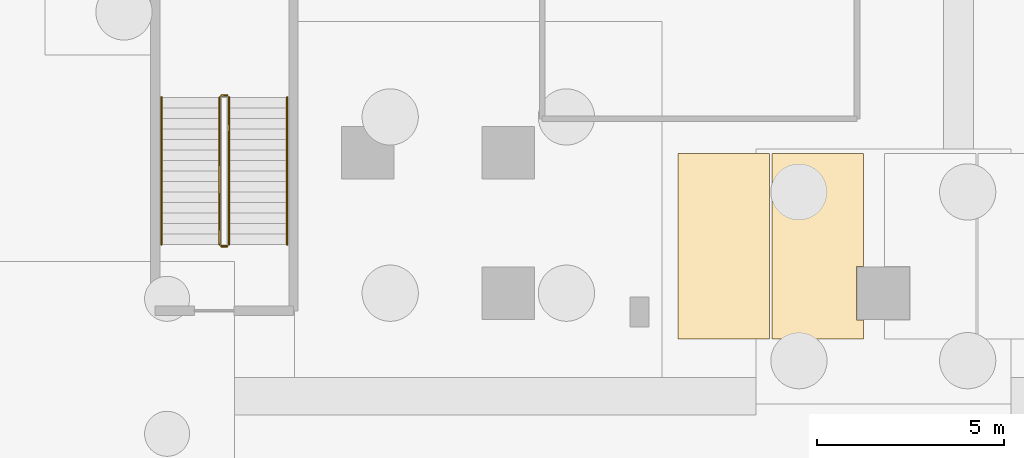
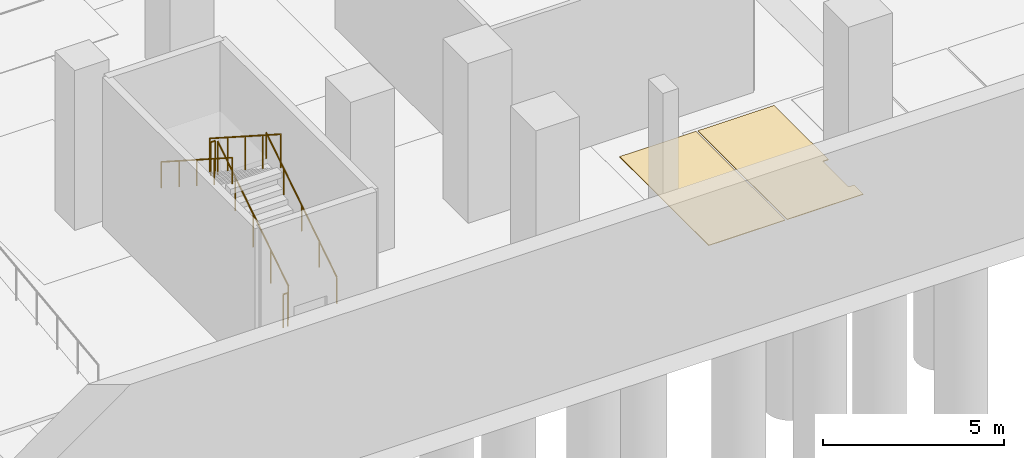
# One storey, part 9 of 16: 6 railings, 2 coverings.
"""IFC4 building model written with IfcOpenShell, lengths in metres."""

from ifc_helpers import new_model, si_unit, direction, frame, origin, origin_2d, place, context, subcontext, project, spatial, polyline, circle, outline, extrude, material, layer, layer_set, type_object, element, save


model = new_model("IFC4")

# Units and contexts
model_context = context("Model", 3, precision=1e-05, world=origin(), true_north=direction((0.0, 1.0)))
body_context = subcontext(model_context, "Body", "Model", "MODEL_VIEW")
ifc_project = project(units=[si_unit("LENGTHUNIT", "METRE"), si_unit("AREAUNIT", "SQUARE_METRE"), si_unit("VOLUMEUNIT", "CUBIC_METRE"), si_unit("PLANEANGLEUNIT", "RADIAN"), si_unit("MASSUNIT", "GRAM", prefix="KILO")], contexts=[model_context])

# Site, building, storey
site_placement = place(None, origin())
site = spatial("IfcSite", under=ifc_project, at=site_placement, CompositionType="ELEMENT")
building_placement = place(site_placement, origin())
building = spatial("IfcBuilding", under=site, at=building_placement, Name="Trevonay Congress Spire", CompositionType="ELEMENT")
storey_placement = place(building_placement, frame((0.0, 0.0, -10.800048828125)))
storey = spatial("IfcBuildingStorey", under=building, at=storey_placement, Name="B2", CompositionType="ELEMENT", Elevation=-10.800048828125)

# Coverings
ifc_material_1 = material(Name="Polished Granite Floor Tile", Category="masonry")
ifc_layer = layer(ifc_material_1, 0.02001953125, Name="Polished Granite Floor Tile")
ifc_layer_set = layer_set([ifc_layer], Name="Polished Granite Floor Tile")
covering_type = type_object("IfcCoveringType", Name="COV-FLOOR-STONE", PredefinedType="FLOORING", material=ifc_layer_set)
covering_1_placement = place(storey_placement, origin())
element("IfcCovering", 1, at=covering_1_placement, inside=storey, type_object=covering_type, Name="B2 Standard Parking Bay PK-01 floor finish", PredefinedType="FLOORING", context=body_context, shape_type="SweptSolid", body=[
    extrude(outline(polyline([(-14.969970703125, -24.469970703125), (-12.530029296875, -24.469970703125), (-12.530029296875, -19.530029296875), (-14.969970703125, -19.530029296875), (-14.969970703125, -24.469970703125)])), origin(), (0.0, 0.0, 1.0), 0.02001953125),
])
covering_2_placement = place(storey_placement, origin())
element("IfcCovering", 2, at=covering_2_placement, inside=storey, type_object=covering_type, Name="B2 Standard Parking Bay PK-02 floor finish", PredefinedType="FLOORING", context=body_context, shape_type="SweptSolid", body=[
    extrude(outline(polyline([(-10.030029296875, -24.469970703125), (-12.469970703125, -24.469970703125), (-12.469970703125, -19.530029296875), (-10.030029296875, -19.530029296875), (-10.030029296875, -22.5400390625), (-10.2099609375, -22.5400390625), (-10.2099609375, -23.9599609375), (-10.030029296875, -23.9599609375), (-10.030029296875, -24.469970703125)])), origin(), (0.0, 0.0, 1.0), 0.02001953125),
])

# Railings
ifc_material_2 = material(Name="Pale Anodised Aluminium EN AW-6063-T6", Category="aluminium")
railing_type_1 = type_object("IfcRailingType", Name="RAL-STAIR-GUARD-110", PredefinedType="GUARDRAIL", material=ifc_material_2)
railing_1_placement = place(storey_placement, frame((-26.949951171875, -21.949951171875, 0.179931640625)))
element("IfcRailing", 3, at=railing_1_placement, inside=storey, type_object=railing_type_1, Name="B2 ST-3 stair guard 1", PredefinedType="GUARDRAIL", context=body_context, shape_type="SweptSolid", body=[
    extrude(circle(Radius=0.02392578125, at=origin_2d()), frame((0.0, 0.0, 1.1259765625), z_axis=(0.0, 0.841171666519, 0.540768182723), x_axis=(-1.0, 0.0, 0.0)), (0.0, 0.0, 1.0), 4.66015625),
    extrude(circle(Radius=0.02099609375, at=origin_2d()), origin(), (0.0, 0.0, 1.0), 1.101806640625),
    extrude(circle(Radius=0.02099609375, at=origin_2d()), frame((0.0, 0.97998046875, 0.6298828125)), (0.0, 0.0, 1.0), 1.101806640625),
    extrude(circle(Radius=0.02099609375, at=origin_2d()), frame((0.0, 1.9599609375, 1.260009765625)), (0.0, 0.0, 1.0), 1.101806640625),
    extrude(circle(Radius=0.02099609375, at=origin_2d()), frame((0.0, 2.93994140625, 1.89013671875)), (0.0, 0.0, 1.0), 1.101806640625),
    extrude(circle(Radius=0.02099609375, at=origin_2d()), frame((0.0, 3.919921875, 2.52001953125)), (0.0, 0.0, 1.0), 1.101806640625),
])
railing_2_placement = place(storey_placement, frame((-27.0, -17.97998046875, 2.699951171875)))
element("IfcRailing", 4, at=railing_2_placement, inside=storey, type_object=railing_type_1, Name="B2 ST-3 stair guard 2", PredefinedType="GUARDRAIL", context=body_context, shape_type="SweptSolid", body=[
    extrude(circle(Radius=0.02392578125, at=origin_2d()), frame((0.0, 0.0, 1.1259765625), z_axis=(-1.0, 0.0, 0.0), x_axis=(0.0, -1.0, 0.0)), (0.0, 0.0, 1.0), 0.14990234375),
    extrude(circle(Radius=0.02099609375, at=origin_2d()), origin(), (0.0, 0.0, 1.0), 1.101806640625),
    extrude(circle(Radius=0.02099609375, at=origin_2d()), frame((-0.14990234375, 0.0, 0.0)), (0.0, 0.0, 1.0), 1.101806640625),
])
railing_3_placement = place(storey_placement, frame((-27.199951171875, -18.030029296875, 2.880126953125)))
element("IfcRailing", 5, at=railing_3_placement, inside=storey, type_object=railing_type_1, Name="B2 ST-3 stair guard 3", PredefinedType="GUARDRAIL", context=body_context, shape_type="SweptSolid", body=[
    extrude(circle(Radius=0.02392578125, at=origin_2d()), frame((0.0, 0.0, 1.1259765625), z_axis=(0.0, -0.841171666519, 0.540768182723), x_axis=(1.0, 0.0, 0.0)), (0.0, 0.0, 1.0), 4.66015625),
    extrude(circle(Radius=0.02099609375, at=origin_2d()), origin(), (0.0, 0.0, 1.0), 1.101806640625),
    extrude(circle(Radius=0.02099609375, at=origin_2d()), frame((0.0, -0.97998046875, 0.6298828125)), (0.0, 0.0, 1.0), 1.101806640625),
    extrude(circle(Radius=0.02099609375, at=origin_2d()), frame((0.0, -1.9599609375, 1.260009765625)), (0.0, 0.0, 1.0), 1.101806640625),
    extrude(circle(Radius=0.02099609375, at=origin_2d()), frame((0.0, -2.93994140625, 1.89013671875)), (0.0, 0.0, 1.0), 1.101806640625),
    extrude(circle(Radius=0.02099609375, at=origin_2d()), frame((0.0, -3.919921875, 2.52001953125)), (0.0, 0.0, 1.0), 1.101806640625),
])
railing_4_placement = place(storey_placement, frame((-27.0, -22.0, 0.0)))
element("IfcRailing", 6, at=railing_4_placement, inside=storey, type_object=railing_type_1, Name="B2 ST-3 stair guard 4", PredefinedType="GUARDRAIL", context=body_context, shape_type="SweptSolid", body=[
    extrude(circle(Radius=0.02392578125, at=origin_2d()), frame((0.0, 0.0, 1.1259765625), z_axis=(-1.0, 0.0, 0.0), x_axis=(0.0, -1.0, 0.0)), (0.0, 0.0, 1.0), 0.14990234375),
    extrude(circle(Radius=0.02099609375, at=origin_2d()), origin(), (0.0, 0.0, 1.0), 1.101806640625),
    extrude(circle(Radius=0.02099609375, at=origin_2d()), frame((-0.14990234375, 0.0, 0.0)), (0.0, 0.0, 1.0), 1.101806640625),
])
railing_type_2 = type_object("IfcRailingType", Name="RAL-STAIR-HANDRAIL", PredefinedType="HANDRAIL", material=ifc_material_2)
railing_5_placement = place(storey_placement, frame((-25.39990234375, -21.949951171875, 0.179931640625)))
element("IfcRailing", 7, at=railing_5_placement, inside=storey, type_object=railing_type_2, Name="B2 ST-3 stair handrail 1", PredefinedType="HANDRAIL", context=body_context, shape_type="SweptSolid", body=[
    extrude(circle(Radius=0.02392578125, at=origin_2d()), frame((0.0, 0.0, 0.8759765625), z_axis=(0.0, 0.841171666519, 0.540768182723), x_axis=(-1.0, 0.0, 0.0)), (0.0, 0.0, 1.0), 4.66015625),
    extrude(circle(Radius=0.02099609375, at=origin_2d()), origin(), (0.0, 0.0, 1.0), 0.851806640625),
    extrude(circle(Radius=0.02099609375, at=origin_2d()), frame((0.0, 0.97998046875, 0.6298828125)), (0.0, 0.0, 1.0), 0.851806640625),
    extrude(circle(Radius=0.02099609375, at=origin_2d()), frame((0.0, 1.9599609375, 1.260009765625)), (0.0, 0.0, 1.0), 0.851806640625),
    extrude(circle(Radius=0.02099609375, at=origin_2d()), frame((0.0, 2.93994140625, 1.89013671875)), (0.0, 0.0, 1.0), 0.851806640625),
    extrude(circle(Radius=0.02099609375, at=origin_2d()), frame((0.0, 3.919921875, 2.52001953125)), (0.0, 0.0, 1.0), 0.851806640625),
])
railing_6_placement = place(storey_placement, frame((-28.75, -18.030029296875, 2.880126953125)))
element("IfcRailing", 8, at=railing_6_placement, inside=storey, type_object=railing_type_2, Name="B2 ST-3 stair handrail 2", PredefinedType="HANDRAIL", context=body_context, shape_type="SweptSolid", body=[
    extrude(circle(Radius=0.02392578125, at=origin_2d()), frame((0.0, 0.0, 0.8759765625), z_axis=(0.0, -0.841171666519, 0.540768182723), x_axis=(1.0, 0.0, 0.0)), (0.0, 0.0, 1.0), 4.66015625),
    extrude(circle(Radius=0.02099609375, at=origin_2d()), origin(), (0.0, 0.0, 1.0), 0.851806640625),
    extrude(circle(Radius=0.02099609375, at=origin_2d()), frame((0.0, -0.97998046875, 0.6298828125)), (0.0, 0.0, 1.0), 0.851806640625),
    extrude(circle(Radius=0.02099609375, at=origin_2d()), frame((0.0, -1.9599609375, 1.260009765625)), (0.0, 0.0, 1.0), 0.851806640625),
    extrude(circle(Radius=0.02099609375, at=origin_2d()), frame((0.0, -2.93994140625, 1.89013671875)), (0.0, 0.0, 1.0), 0.851806640625),
    extrude(circle(Radius=0.02099609375, at=origin_2d()), frame((0.0, -3.919921875, 2.52001953125)), (0.0, 0.0, 1.0), 0.851806640625),
])

save(model, "model.ifc")
